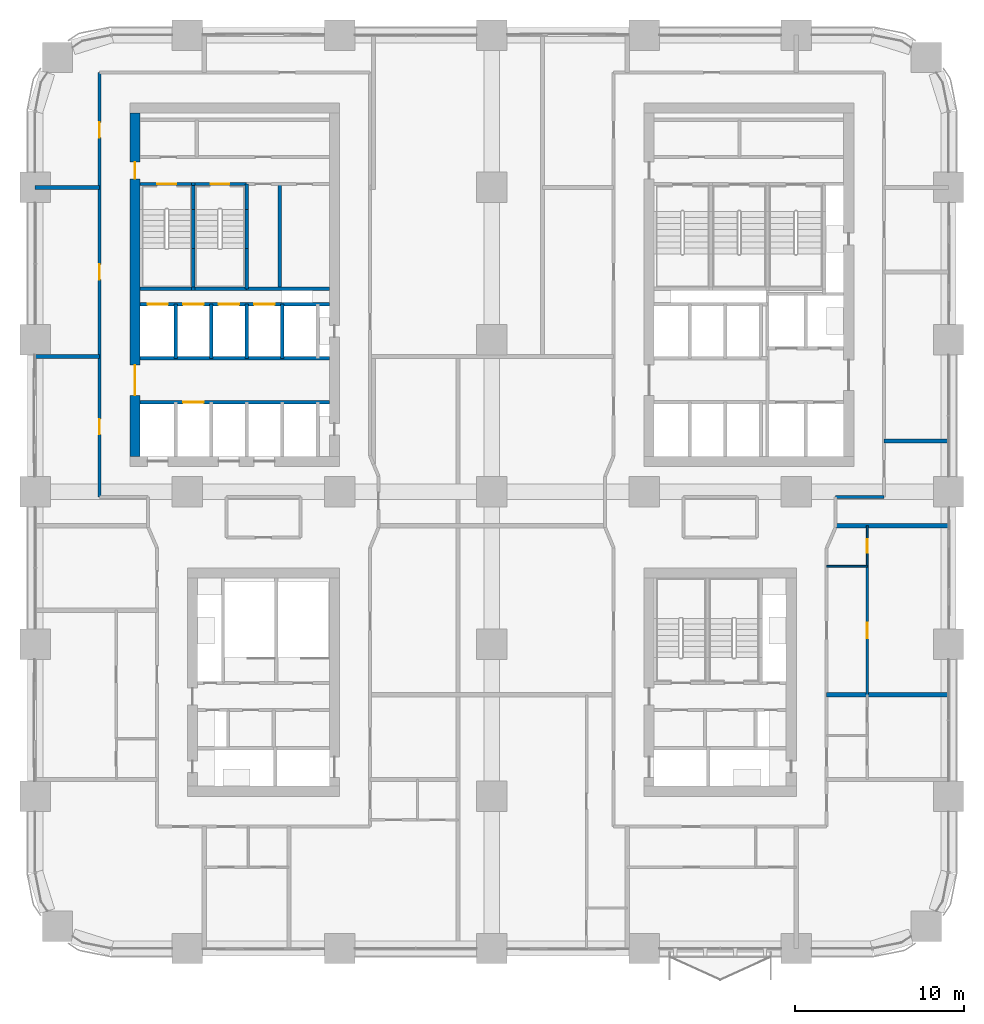
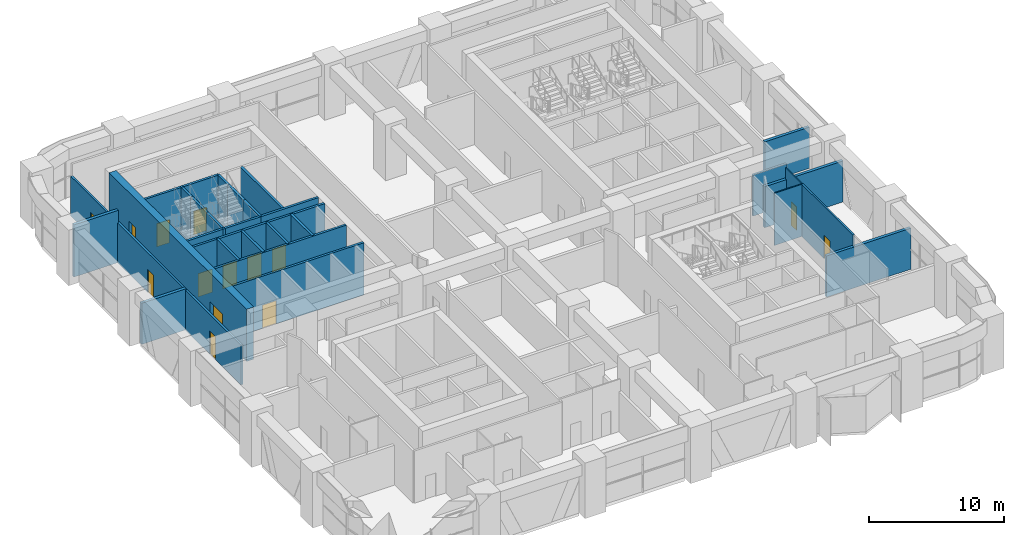
# One storey, part 18 of 26: 32 walls, 14 doors, 14 openings.
"""IFC4 building model written with IfcOpenShell, lengths in metres."""

from ifc_helpers import new_model, si_unit, direction, frame, frame_2d, origin, place, context, subcontext, project, spatial, rectangle, extrude, material, layer, layer_set, type_object, element, fill, save


model = new_model("IFC4")

# Units and contexts
model_context = context("Model", 3, precision=1e-05, world=origin(), true_north=direction((0.0, 1.0)))
body_context = subcontext(model_context, "Body", "Model", "MODEL_VIEW")
ifc_project = project(units=[si_unit("LENGTHUNIT", "METRE"), si_unit("AREAUNIT", "SQUARE_METRE"), si_unit("VOLUMEUNIT", "CUBIC_METRE"), si_unit("PLANEANGLEUNIT", "RADIAN"), si_unit("MASSUNIT", "GRAM", prefix="KILO")], contexts=[model_context])

# Site, building, storey
site_placement = place(None, origin())
site = spatial("IfcSite", under=ifc_project, at=site_placement, CompositionType="ELEMENT")
building_placement = place(site_placement, origin())
building = spatial("IfcBuilding", under=site, at=building_placement, Name="Tessera Arch", CompositionType="ELEMENT")
storey_placement = place(building_placement, frame((0.0, 0.0, 72.800048828125)))
storey = spatial("IfcBuildingStorey", under=building, at=storey_placement, Name="L16", CompositionType="ELEMENT", Elevation=72.800048828125)

# Wall
ifc_material_1 = material(Name="Gypsum board on steel stud", Category="steel")
ifc_layer_1 = layer(ifc_material_1, 0.125)
ifc_layer_set_1 = layer_set([ifc_layer_1], Name="Core partition 125 EI 60")
wall_type_1 = type_object("IfcWallType", Name="Core partition 125 EI 60", PredefinedType="PARTITIONING", material=ifc_layer_set_1)
wall_1_placement = place(storey_placement, frame((14.4599609375, 39.0, 0.0), z_axis=(0.0, 0.0, 1.0), x_axis=(0.0, 1.0, 0.0)))
element("IfcWall", 1, at=wall_1_placement, inside=storey, type_object=wall_type_1, Name="L16 C2 partition wall 14", PredefinedType="PARTITIONING", context=body_context, shape_type="SweptSolid", body=[
    extrude(rectangle(XDim=6.199951171875, YDim=0.199951171875, at=frame_2d((3.10009765625, 0.0))), origin(), (0.0, 0.0, 1.0), 4.699951171875),
])

# Wall, openings, doors
ifc_material_2 = material(Name="Concrete C70/85", Category="concrete")
ifc_layer_2 = layer(ifc_material_2, 0.60009765625)
ifc_layer_set_2 = layer_set([ifc_layer_2], Name="Core shell wall 600 C70-85")
wall_type_2 = type_object("IfcWallType", Name="Core shell wall 600 C70-85", PredefinedType="SHEAR", material=ifc_layer_set_2)
wall_2_placement = place(storey_placement, frame((5.89990234375, 29.10009765625, 0.0), z_axis=(0.0, 0.0, 1.0), x_axis=(0.0, 1.0, 0.0)))
wall_2 = element("IfcWall", 2, at=wall_2_placement, inside=storey, type_object=wall_type_2, Name="L16 C2 core wall W", PredefinedType="SHEAR", context=body_context, shape_type="SweptSolid", body=[
    extrude(rectangle(XDim=20.2998046875, YDim=0.60009765625, at=frame_2d((10.14990234375, 0.0))), origin(), (0.0, 0.0, 1.0), 4.699951171875),
])
opening_1_placement = place(wall_2_placement, frame((3.60009765625, 0.0, 0.0)))
opening_1 = element("IfcOpeningElement", 3, at=opening_1_placement, cuts=wall_2, Name="Opening L16-C24", PredefinedType="OPENING", context=body_context, shape_type="SweptSolid", body=[
    extrude(rectangle(XDim=1.800048828125, YDim=2.10009765625, at=frame_2d((0.89990234375, 1.050048828125))), frame((0.0, 0.31005859375, 0.0), z_axis=(0.0, -1.0, 0.0), x_axis=(1.0, 0.0, 0.0)), (0.0, 0.0, 1.0), 0.6201171875),
])
opening_2_placement = place(wall_2_placement, frame((16.39990234375, 0.0, 0.0)))
opening_2 = element("IfcOpeningElement", 4, at=opening_2_placement, cuts=wall_2, Name="Opening L16-C27", PredefinedType="OPENING", context=body_context, shape_type="SweptSolid", body=[
    extrude(rectangle(XDim=1.0, YDim=2.10009765625, at=frame_2d((0.5, 1.050048828125))), frame((0.0, 0.31005859375, 0.0), z_axis=(0.0, -1.0, 0.0), x_axis=(1.0, 0.0, 0.0)), (0.0, 0.0, 1.0), 0.6201171875),
])
ifc_material_3 = material(Name="Steel door leaf", Category="steel")
door_type_1 = type_object("IfcDoorType", Name="Corridor door FD60 1000 x 2100", OperationType="SINGLE_SWING_LEFT", PredefinedType="DOOR", material=ifc_material_3)
door_1_placement = place(opening_2_placement, origin())
door_1 = element("IfcDoor", 5, at=door_1_placement, inside=storey, type_object=door_type_1, Name="L16 C2 door 14 C27 type D12", OperationType="SINGLE_SWING_RIGHT", OverallHeight=2.10009765625, OverallWidth=1.0, PredefinedType="DOOR", context=body_context, shape_type="SweptSolid", body=[
    extrude(rectangle(XDim=1.0, YDim=2.10009765625, at=frame_2d((0.5, 1.050048828125))), frame((0.0, 0.02490234375, 0.0), z_axis=(0.0, -1.0, 0.0), x_axis=(1.0, 0.0, 0.0)), (0.0, 0.0, 1.0), 0.050048828125),
])
fill(opening_2, door_1)
ifc_material_4 = material(Name="Glazed steel door leaf", Category="steel")
door_type_2 = type_object("IfcDoorType", Name="Lobby double door FD30S 1800 x 2100", OperationType="DOUBLE_DOOR_SINGLE_SWING", PredefinedType="DOOR", material=ifc_material_4)
door_2_placement = place(opening_1_placement, origin())
door_2 = element("IfcDoor", 6, at=door_2_placement, inside=storey, type_object=door_type_2, Name="L16 C2 door 11 C24 type D06", OperationType="DOUBLE_DOOR_SINGLE_SWING", OverallHeight=2.10009765625, OverallWidth=1.800048828125, PredefinedType="DOOR", context=body_context, shape_type="SweptSolid", body=[
    extrude(rectangle(XDim=1.800048828125, YDim=2.10009765625, at=frame_2d((0.89990234375, 1.050048828125))), frame((0.0, 0.02490234375, 0.0), z_axis=(0.0, -1.0, 0.0), x_axis=(1.0, 0.0, 0.0)), (0.0, 0.0, 1.0), 0.050048828125),
])
fill(opening_1, door_2)

# Wall
ifc_material_5 = material(Name="Gypsum board on deep steel stud with mineral wool", Category="steel")
ifc_layer_3 = layer(ifc_material_5, 0.175048828125)
ifc_layer_set_3 = layer_set([ifc_layer_3], Name="Corridor wall 175 EI 60")
wall_type_3 = type_object("IfcWallType", Name="Corridor wall 175 EI 60", PredefinedType="PARTITIONING", material=ifc_layer_set_3)
wall_3_placement = place(storey_placement, frame((47.320068359375, 26.699951171875, 0.0), z_axis=(0.0, 0.0, 1.0), x_axis=(1.0, 0.0, 0.0)))
element("IfcWall", 7, at=wall_3_placement, inside=storey, type_object=wall_type_3, Name="L16 partition 8", PredefinedType="PARTITIONING", context=body_context, shape_type="SweptSolid", body=[
    extrude(rectangle(XDim=2.8798828125, YDim=0.175048828125, at=frame_2d((1.43994140625, 0.0))), origin(), (0.0, 0.0, 1.0), 3.699951171875),
])

# Wall, openings, doors
wall_4_placement = place(storey_placement, frame((3.800048828125, 26.699951171875, 0.0), z_axis=(0.0, 0.0, 1.0), x_axis=(0.0, 1.0, 0.0)))
wall_4 = element("IfcWall", 8, at=wall_4_placement, inside=storey, type_object=wall_type_3, Name="L16 partition 11", PredefinedType="PARTITIONING", context=body_context, shape_type="SweptSolid", body=[
    extrude(rectangle(XDim=25.10009765625, YDim=0.175048828125, at=frame_2d((12.550048828125, 0.0))), origin(), (0.0, 0.0, 1.0), 3.58984375),
])
opening_3_placement = place(wall_4_placement, frame((3.699951171875, 0.0, 0.0)))
opening_3 = element("IfcOpeningElement", 9, at=opening_3_placement, cuts=wall_4, Name="Opening L16-D031", PredefinedType="OPENING", context=body_context, shape_type="SweptSolid", body=[
    extrude(rectangle(XDim=0.89990234375, YDim=2.10009765625, at=frame_2d((0.449951171875, 1.050048828125))), frame((0.0, 0.097412109375, 0.0), z_axis=(0.0, -1.0, 0.0), x_axis=(1.0, 0.0, 0.0)), (0.0, 0.0, 1.0), 0.195068359375),
])
opening_4_placement = place(wall_4_placement, frame((12.85009765625, 0.0, 0.0)))
opening_4 = element("IfcOpeningElement", 10, at=opening_4_placement, cuts=wall_4, Name="Opening L16-D035", PredefinedType="OPENING", context=body_context, shape_type="SweptSolid", body=[
    extrude(rectangle(XDim=0.89990234375, YDim=2.10009765625, at=frame_2d((0.449951171875, 1.050048828125))), frame((0.0, 0.097412109375, 0.0), z_axis=(0.0, -1.0, 0.0), x_axis=(1.0, 0.0, 0.0)), (0.0, 0.0, 1.0), 0.195068359375),
])
opening_5_placement = place(wall_4_placement, frame((21.25, 0.0, 0.0)))
opening_5 = element("IfcOpeningElement", 11, at=opening_5_placement, cuts=wall_4, Name="Opening L16-D041", PredefinedType="OPENING", context=body_context, shape_type="SweptSolid", body=[
    extrude(rectangle(XDim=0.89990234375, YDim=2.10009765625, at=frame_2d((0.449951171875, 1.050048828125))), frame((0.0, 0.097412109375, 0.0), z_axis=(0.0, -1.0, 0.0), x_axis=(1.0, 0.0, 0.0)), (0.0, 0.0, 1.0), 0.195068359375),
])
ifc_material_6 = material(Name="Timber door leaf", Category="wood")
door_type_3 = type_object("IfcDoorType", Name="Room door 900 x 2100", OperationType="SINGLE_SWING_LEFT", PredefinedType="DOOR", material=ifc_material_6)
door_3_placement = place(opening_3_placement, origin())
door_3 = element("IfcDoor", 12, at=door_3_placement, inside=storey, type_object=door_type_3, Name="L16 door D031 type D01", OperationType="SINGLE_SWING_LEFT", OverallHeight=2.10009765625, OverallWidth=0.89990234375, PredefinedType="DOOR", context=body_context, shape_type="SweptSolid", body=[
    extrude(rectangle(XDim=0.89990234375, YDim=2.10009765625, at=frame_2d((0.449951171875, 1.050048828125))), frame((0.0, 0.02490234375, 0.0), z_axis=(0.0, -1.0, 0.0), x_axis=(1.0, 0.0, 0.0)), (0.0, 0.0, 1.0), 0.050048828125),
])
fill(opening_3, door_3)
door_4_placement = place(opening_4_placement, origin())
door_4 = element("IfcDoor", 13, at=door_4_placement, inside=storey, type_object=door_type_3, Name="L16 door D035 type D01", OperationType="SINGLE_SWING_LEFT", OverallHeight=2.10009765625, OverallWidth=0.89990234375, PredefinedType="DOOR", context=body_context, shape_type="SweptSolid", body=[
    extrude(rectangle(XDim=0.89990234375, YDim=2.10009765625, at=frame_2d((0.449951171875, 1.050048828125))), frame((0.0, 0.02490234375, 0.0), z_axis=(0.0, -1.0, 0.0), x_axis=(1.0, 0.0, 0.0)), (0.0, 0.0, 1.0), 0.050048828125),
])
fill(opening_4, door_4)
door_5_placement = place(opening_5_placement, origin())
door_5 = element("IfcDoor", 14, at=door_5_placement, inside=storey, type_object=door_type_3, Name="L16 door D041 type D01", OperationType="SINGLE_SWING_LEFT", OverallHeight=2.10009765625, OverallWidth=0.89990234375, PredefinedType="DOOR", context=body_context, shape_type="SweptSolid", body=[
    extrude(rectangle(XDim=0.89990234375, YDim=2.10009765625, at=frame_2d((0.449951171875, 1.050048828125))), frame((0.0, 0.02490234375, 0.0), z_axis=(0.0, -1.0, 0.0), x_axis=(1.0, 0.0, 0.0)), (0.0, 0.0, 1.0), 0.050048828125),
])
fill(opening_5, door_5)

# Wall, opening, door
ifc_material_7 = material(Name="Gypsum board on steel stud", Category="steel")
ifc_layer_4 = layer(ifc_material_7, 0.14990234375)
ifc_layer_set_4 = layer_set([ifc_layer_4], Name="Partition 150")
wall_type_4 = type_object("IfcWallType", Name="Partition 150", PredefinedType="PARTITIONING", material=ifc_layer_set_4)
wall_5_placement = place(storey_placement, frame((49.199951171875, 15.0, 0.0), z_axis=(0.0, 0.0, 1.0), x_axis=(0.0, 1.0, 0.0)))
wall_5 = element("IfcWall", 15, at=wall_5_placement, inside=storey, type_object=wall_type_4, Name="L16 partition 33", PredefinedType="PARTITIONING", context=body_context, shape_type="SweptSolid", body=[
    extrude(rectangle(XDim=7.60009765625, YDim=0.14990234375, at=frame_2d((3.800048828125, 0.0))), origin(), (0.0, 0.0, 1.0), 4.699951171875),
])
opening_6_placement = place(wall_5_placement, frame((3.35009765625, 0.0, 0.0)))
opening_6 = element("IfcOpeningElement", 16, at=opening_6_placement, cuts=wall_5, Name="Opening L16-D025", PredefinedType="OPENING", context=body_context, shape_type="SweptSolid", body=[
    extrude(rectangle(XDim=0.89990234375, YDim=2.10009765625, at=frame_2d((0.449951171875, 1.050048828125))), frame((0.0, 0.0849609375, 0.0), z_axis=(0.0, -1.0, 0.0), x_axis=(1.0, 0.0, 0.0)), (0.0, 0.0, 1.0), 0.169921875),
])
door_6_placement = place(opening_6_placement, origin())
door_6 = element("IfcDoor", 17, at=door_6_placement, inside=storey, type_object=door_type_3, Name="L16 door D025 type D01", OperationType="SINGLE_SWING_RIGHT", OverallHeight=2.10009765625, OverallWidth=0.89990234375, PredefinedType="DOOR", context=body_context, shape_type="SweptSolid", body=[
    extrude(rectangle(XDim=0.89990234375, YDim=2.10009765625, at=frame_2d((0.449951171875, 1.050048828125))), frame((0.0, 0.02490234375, 0.0), z_axis=(0.0, -1.0, 0.0), x_axis=(1.0, 0.0, 0.0)), (0.0, 0.0, 1.0), 0.050048828125),
])
fill(opening_6, door_6)

# Walls
ifc_material_8 = material(Name="Double gypsum board on twin steel stud with acoustic mineral wool", Category="steel")
ifc_layer_5 = layer(ifc_material_8, 0.25)
ifc_layer_set_5 = layer_set([ifc_layer_5], Name="Party wall 250 EI 60")
wall_type_5 = type_object("IfcWallType", Name="Party wall 250 EI 60", PredefinedType="PARTITIONING", material=ifc_layer_set_5)
wall_6_placement = place(storey_placement, frame((46.800048828125, 15.0, 0.0), z_axis=(0.0, 0.0, 1.0), x_axis=(1.0, 0.0, 0.0)))
element("IfcWall", 18, at=wall_6_placement, inside=storey, type_object=wall_type_5, Name="L16 partition 38", PredefinedType="PARTITIONING", context=body_context, shape_type="SweptSolid", body=[
    extrude(rectangle(XDim=7.199951171875, YDim=0.25, at=frame_2d((3.60009765625, 0.0))), origin(), (0.0, 0.0, 1.0), 3.699951171875),
])
wall_7_placement = place(storey_placement, frame((47.320068359375, 25.0, 0.0), z_axis=(0.0, 0.0, 1.0), x_axis=(1.0, 0.0, 0.0)))
element("IfcWall", 19, at=wall_7_placement, inside=storey, type_object=wall_type_5, Name="L16 partition 42", PredefinedType="PARTITIONING", context=body_context, shape_type="SweptSolid", body=[
    extrude(rectangle(XDim=6.679931640625, YDim=0.25, at=frame_2d((3.33984375, 0.0))), origin(), (0.0, 0.0, 1.0), 3.699951171875),
])
for number, where, z_axis, x_axis, name in (
    (20, (50.199951171875, 30.0, 0.0), (0.0, 0.0, 1.0), (1.0, 0.0, 0.0), "L16 partition 43"),
    (21, (0.0, 35.0, 0.0), (0.0, 0.0, 1.0), (1.0, 0.0, 0.0), "L16 partition 44"),
):
    element("IfcWall", number, at=place(storey_placement, frame(where, z_axis=z_axis, x_axis=x_axis)), inside=storey, type_object=wall_type_5, Name=name, PredefinedType="PARTITIONING", context=body_context, shape_type="SweptSolid", body=[
        extrude(rectangle(XDim=3.800048828125, YDim=0.25, at=frame_2d((1.89990234375, 0.0))), origin(), (0.0, 0.0, 1.0), 3.699951171875),
    ])
wall_8_placement = place(storey_placement, frame((0.0, 45.0, 0.0), z_axis=(0.0, 0.0, 1.0), x_axis=(1.0, 0.0, 0.0)))
element("IfcWall", 22, at=wall_8_placement, inside=storey, type_object=wall_type_5, Name="L16 partition 47", PredefinedType="PARTITIONING", context=body_context, shape_type="SweptSolid", body=[
    extrude(rectangle(XDim=3.800048828125, YDim=0.25, at=frame_2d((1.89990234375, 0.0))), origin(), (0.0, 0.0, 1.0), 4.699951171875),
])
ifc_material_9 = material(Name="Concrete C40/50", Category="concrete")
ifc_layer_6 = layer(ifc_material_9, 0.199951171875)
ifc_layer_set_6 = layer_set([ifc_layer_6], Name="Shaft wall 200 EI 120")
wall_type_6 = type_object("IfcWallType", Name="Shaft wall 200 EI 120", PredefinedType="SOLIDWALL", material=ifc_layer_set_6)
for number, where, z_axis, x_axis, name in (
    (23, (8.300048828125, 34.89990234375, 0.0), (0.0, 0.0, 1.0), (0.0, 1.0, 0.0), "L16 C2 shaft wall 2"),
    (24, (10.39990234375, 34.89990234375, 0.0), (0.0, 0.0, 1.0), (0.0, 1.0, 0.0), "L16 C2 shaft wall 8"),
    (25, (12.5, 34.89990234375, 0.0), (0.0, 0.0, 1.0), (0.0, 1.0, 0.0), "L16 C2 shaft wall 10"),
    (26, (14.60009765625, 34.89990234375, 0.0), (0.0, 0.0, 1.0), (0.0, 1.0, 0.0), "L16 C2 shaft wall 16"),
):
    element("IfcWall", number, at=place(storey_placement, frame(where, z_axis=z_axis, x_axis=x_axis)), inside=storey, type_object=wall_type_6, Name=name, PredefinedType="SOLIDWALL", context=body_context, shape_type="SweptSolid", body=[
        extrude(rectangle(XDim=3.2001953125, YDim=0.199951171875, at=frame_2d((1.60009765625, 0.0))), origin(), (0.0, 0.0, 1.0), 4.699951171875),
    ])

# Wall, opening, door
wall_9_placement = place(storey_placement, frame((6.199951171875, 32.300048828125, 0.0), z_axis=(0.0, 0.0, 1.0), x_axis=(1.0, 0.0, 0.0)))
wall_9 = element("IfcWall", 27, at=wall_9_placement, inside=storey, type_object=wall_type_6, Name="L16 C2 shaft wall 19", PredefinedType="SOLIDWALL", context=body_context, shape_type="SweptSolid", body=[
    extrude(rectangle(XDim=11.199951171875, YDim=0.199951171875, at=frame_2d((5.60009765625, 0.0))), origin(), (0.0, 0.0, 1.0), 4.699951171875),
])
opening_7_placement = place(wall_9_placement, frame((2.550048828125, 0.0, 0.0)))
opening_7 = element("IfcOpeningElement", 28, at=opening_7_placement, cuts=wall_9, Name="Opening L16-C15", PredefinedType="OPENING", context=body_context, shape_type="SweptSolid", body=[
    extrude(rectangle(XDim=1.199951171875, YDim=2.10009765625, at=frame_2d((0.60009765625, 1.050048828125))), frame((0.0, 0.10986328125, 0.0), z_axis=(0.0, -1.0, 0.0), x_axis=(1.0, 0.0, 0.0)), (0.0, 0.0, 1.0), 0.219970703125),
])
ifc_material_10 = material(Name="Stainless steel AISI 304", Category="steel")
door_type_4 = type_object("IfcDoorType", Name="Sliding landing door 1200 x 2100", OperationType="SLIDING_TO_LEFT", PredefinedType="DOOR", material=ifc_material_10)
door_7_placement = place(opening_7_placement, origin())
door_7 = element("IfcDoor", 29, at=door_7_placement, inside=storey, type_object=door_type_4, Name="L16 LR2 lift landing door C15 type LD", OperationType="SLIDING_TO_LEFT", OverallHeight=2.10009765625, OverallWidth=1.199951171875, PredefinedType="DOOR", context=body_context, shape_type="SweptSolid", body=[
    extrude(rectangle(XDim=1.199951171875, YDim=2.10009765625, at=frame_2d((0.60009765625, 1.050048828125))), frame((0.0, 0.02490234375, 0.0), z_axis=(0.0, -1.0, 0.0), x_axis=(1.0, 0.0, 0.0)), (0.0, 0.0, 1.0), 0.050048828125),
])
fill(opening_7, door_7)

# Wall
wall_10_placement = place(storey_placement, frame((6.199951171875, 34.89990234375, 0.0), z_axis=(0.0, 0.0, 1.0), x_axis=(1.0, 0.0, 0.0)))
element("IfcWall", 30, at=wall_10_placement, inside=storey, type_object=wall_type_6, Name="L16 C2 shaft wall 20", PredefinedType="SOLIDWALL", context=body_context, shape_type="SweptSolid", body=[
    extrude(rectangle(XDim=11.199951171875, YDim=0.199951171875, at=frame_2d((5.60009765625, 0.0))), origin(), (0.0, 0.0, 1.0), 4.699951171875),
])

# Wall, openings, doors
wall_11_placement = place(storey_placement, frame((6.199951171875, 38.10009765625, 0.0), z_axis=(0.0, 0.0, 1.0), x_axis=(1.0, 0.0, 0.0)))
wall_11 = element("IfcWall", 31, at=wall_11_placement, inside=storey, type_object=wall_type_6, Name="L16 C2 shaft wall 21", PredefinedType="SOLIDWALL", context=body_context, shape_type="SweptSolid", body=[
    extrude(rectangle(XDim=11.199951171875, YDim=0.199951171875, at=frame_2d((5.60009765625, 0.0))), origin(), (0.0, 0.0, 1.0), 4.699951171875),
])
opening_8_placement = place(wall_11_placement, frame((0.449951171875, 0.0, 0.0)))
opening_8 = element("IfcOpeningElement", 32, at=opening_8_placement, cuts=wall_11, Name="Opening L16-C18", PredefinedType="OPENING", context=body_context, shape_type="SweptSolid", body=[
    extrude(rectangle(XDim=1.199951171875, YDim=2.10009765625, at=frame_2d((0.60009765625, 1.050048828125))), frame((0.0, 0.10986328125, 0.0), z_axis=(0.0, -1.0, 0.0), x_axis=(1.0, 0.0, 0.0)), (0.0, 0.0, 1.0), 0.219970703125),
])
opening_9_placement = place(wall_11_placement, frame((2.550048828125, 0.0, 0.0)))
opening_9 = element("IfcOpeningElement", 33, at=opening_9_placement, cuts=wall_11, Name="Opening L16-C19", PredefinedType="OPENING", context=body_context, shape_type="SweptSolid", body=[
    extrude(rectangle(XDim=1.199951171875, YDim=2.10009765625, at=frame_2d((0.60009765625, 1.050048828125))), frame((0.0, 0.10986328125, 0.0), z_axis=(0.0, -1.0, 0.0), x_axis=(1.0, 0.0, 0.0)), (0.0, 0.0, 1.0), 0.219970703125),
])
opening_10_placement = place(wall_11_placement, frame((4.64990234375, 0.0, 0.0)))
opening_10 = element("IfcOpeningElement", 34, at=opening_10_placement, cuts=wall_11, Name="Opening L16-C20", PredefinedType="OPENING", context=body_context, shape_type="SweptSolid", body=[
    extrude(rectangle(XDim=1.199951171875, YDim=2.10009765625, at=frame_2d((0.60009765625, 1.050048828125))), frame((0.0, 0.10986328125, 0.0), z_axis=(0.0, -1.0, 0.0), x_axis=(1.0, 0.0, 0.0)), (0.0, 0.0, 1.0), 0.219970703125),
])
opening_11_placement = place(wall_11_placement, frame((6.75, 0.0, 0.0)))
opening_11 = element("IfcOpeningElement", 35, at=opening_11_placement, cuts=wall_11, Name="Opening L16-C21", PredefinedType="OPENING", context=body_context, shape_type="SweptSolid", body=[
    extrude(rectangle(XDim=1.199951171875, YDim=2.10009765625, at=frame_2d((0.60009765625, 1.050048828125))), frame((0.0, 0.10986328125, 0.0), z_axis=(0.0, -1.0, 0.0), x_axis=(1.0, 0.0, 0.0)), (0.0, 0.0, 1.0), 0.219970703125),
])
door_8_placement = place(opening_8_placement, origin())
door_8 = element("IfcDoor", 36, at=door_8_placement, inside=storey, type_object=door_type_4, Name="L16 LR5 lift landing door C18 type LD", OperationType="SLIDING_TO_LEFT", OverallHeight=2.10009765625, OverallWidth=1.199951171875, PredefinedType="DOOR", context=body_context, shape_type="SweptSolid", body=[
    extrude(rectangle(XDim=1.199951171875, YDim=2.10009765625, at=frame_2d((0.60009765625, 1.050048828125))), frame((0.0, 0.02490234375, 0.0), z_axis=(0.0, -1.0, 0.0), x_axis=(1.0, 0.0, 0.0)), (0.0, 0.0, 1.0), 0.050048828125),
])
fill(opening_8, door_8)
door_9_placement = place(opening_9_placement, origin())
door_9 = element("IfcDoor", 37, at=door_9_placement, inside=storey, type_object=door_type_4, Name="L16 LR6 lift landing door C19 type LD", OperationType="SLIDING_TO_LEFT", OverallHeight=2.10009765625, OverallWidth=1.199951171875, PredefinedType="DOOR", context=body_context, shape_type="SweptSolid", body=[
    extrude(rectangle(XDim=1.199951171875, YDim=2.10009765625, at=frame_2d((0.60009765625, 1.050048828125))), frame((0.0, 0.02490234375, 0.0), z_axis=(0.0, -1.0, 0.0), x_axis=(1.0, 0.0, 0.0)), (0.0, 0.0, 1.0), 0.050048828125),
])
fill(opening_9, door_9)
door_10_placement = place(opening_10_placement, origin())
door_10 = element("IfcDoor", 38, at=door_10_placement, inside=storey, type_object=door_type_4, Name="L16 LR7 lift landing door C20 type LD", OperationType="SLIDING_TO_LEFT", OverallHeight=2.10009765625, OverallWidth=1.199951171875, PredefinedType="DOOR", context=body_context, shape_type="SweptSolid", body=[
    extrude(rectangle(XDim=1.199951171875, YDim=2.10009765625, at=frame_2d((0.60009765625, 1.050048828125))), frame((0.0, 0.02490234375, 0.0), z_axis=(0.0, -1.0, 0.0), x_axis=(1.0, 0.0, 0.0)), (0.0, 0.0, 1.0), 0.050048828125),
])
fill(opening_10, door_10)
door_11_placement = place(opening_11_placement, origin())
door_11 = element("IfcDoor", 39, at=door_11_placement, inside=storey, type_object=door_type_4, Name="L16 LR8 lift landing door C21 type LD", OperationType="SLIDING_TO_LEFT", OverallHeight=2.10009765625, OverallWidth=1.199951171875, PredefinedType="DOOR", context=body_context, shape_type="SweptSolid", body=[
    extrude(rectangle(XDim=1.199951171875, YDim=2.10009765625, at=frame_2d((0.60009765625, 1.050048828125))), frame((0.0, 0.02490234375, 0.0), z_axis=(0.0, -1.0, 0.0), x_axis=(1.0, 0.0, 0.0)), (0.0, 0.0, 1.0), 0.050048828125),
])
fill(opening_11, door_11)

# Walls
wall_12_placement = place(storey_placement, frame((12.5, 39.0, 0.0), z_axis=(0.0, 0.0, 1.0), x_axis=(1.0, 0.0, 0.0)))
element("IfcWall", 40, at=wall_12_placement, inside=storey, type_object=wall_type_6, Name="L16 C2 shaft wall 22", PredefinedType="SOLIDWALL", context=body_context, shape_type="SweptSolid", body=[
    extrude(rectangle(XDim=4.89990234375, YDim=0.199951171875, at=frame_2d((2.449951171875, 0.0))), origin(), (0.0, 0.0, 1.0), 4.699951171875),
])
ifc_material_11 = material(Name="Concrete C40/50", Category="concrete")
ifc_layer_7 = layer(ifc_material_11, 0.199951171875)
ifc_layer_set_7 = layer_set([ifc_layer_7], Name="Stair well wall 200 REI 180")
wall_type_7 = type_object("IfcWallType", Name="Stair well wall 200 REI 180", PredefinedType="SOLIDWALL", material=ifc_layer_set_7)
wall_13_placement = place(storey_placement, frame((9.35009765625, 39.0, 0.0), z_axis=(0.0, 0.0, 1.0), x_axis=(0.0, 1.0, 0.0)))
element("IfcWall", 41, at=wall_13_placement, inside=storey, type_object=wall_type_7, Name="L16 C2 shaft wall 3", PredefinedType="SOLIDWALL", context=body_context, shape_type="SweptSolid", body=[
    extrude(rectangle(XDim=2.389892578125, YDim=0.199951171875, at=frame_2d((1.19482421875, 0.0))), origin(), (0.0, 0.0, 1.0), 4.699951171875),
])
wall_14_placement = place(storey_placement, frame((9.35009765625, 41.389892578125, 0.0), z_axis=(0.0, 0.0, 1.0), x_axis=(0.0, 1.0, 0.0)))
element("IfcWall", 42, at=wall_14_placement, inside=storey, type_object=wall_type_7, Name="L16 C2 shaft wall 4", PredefinedType="SOLIDWALL", context=body_context, shape_type="SweptSolid", body=[
    extrude(rectangle(XDim=2.31005859375, YDim=0.199951171875, at=frame_2d((1.155029296875, 0.0))), origin(), (0.0, 0.0, 1.0), 4.699951171875),
])
wall_15_placement = place(storey_placement, frame((9.35009765625, 43.699951171875, 0.0), z_axis=(0.0, 0.0, 1.0), x_axis=(0.0, 1.0, 0.0)))
element("IfcWall", 43, at=wall_15_placement, inside=storey, type_object=wall_type_7, Name="L16 C2 shaft wall 5", PredefinedType="SOLIDWALL", context=body_context, shape_type="SweptSolid", body=[
    extrude(rectangle(XDim=1.5, YDim=0.199951171875, at=frame_2d((0.75, 0.0))), origin(), (0.0, 0.0, 1.0), 4.699951171875),
])
wall_16_placement = place(storey_placement, frame((12.5, 39.0, 0.0), z_axis=(0.0, 0.0, 1.0), x_axis=(0.0, 1.0, 0.0)))
element("IfcWall", 44, at=wall_16_placement, inside=storey, type_object=wall_type_7, Name="L16 C2 shaft wall 11", PredefinedType="SOLIDWALL", context=body_context, shape_type="SweptSolid", body=[
    extrude(rectangle(XDim=2.389892578125, YDim=0.199951171875, at=frame_2d((1.19482421875, 0.0))), origin(), (0.0, 0.0, 1.0), 4.699951171875),
])
wall_17_placement = place(storey_placement, frame((12.5, 41.389892578125, 0.0), z_axis=(0.0, 0.0, 1.0), x_axis=(0.0, 1.0, 0.0)))
element("IfcWall", 45, at=wall_17_placement, inside=storey, type_object=wall_type_7, Name="L16 C2 shaft wall 12", PredefinedType="SOLIDWALL", context=body_context, shape_type="SweptSolid", body=[
    extrude(rectangle(XDim=2.31005859375, YDim=0.199951171875, at=frame_2d((1.155029296875, 0.0))), origin(), (0.0, 0.0, 1.0), 4.699951171875),
])
wall_18_placement = place(storey_placement, frame((12.5, 43.699951171875, 0.0), z_axis=(0.0, 0.0, 1.0), x_axis=(0.0, 1.0, 0.0)))
element("IfcWall", 46, at=wall_18_placement, inside=storey, type_object=wall_type_7, Name="L16 C2 shaft wall 13", PredefinedType="SOLIDWALL", context=body_context, shape_type="SweptSolid", body=[
    extrude(rectangle(XDim=1.5, YDim=0.199951171875, at=frame_2d((0.75, 0.0))), origin(), (0.0, 0.0, 1.0), 4.699951171875),
])
wall_19_placement = place(storey_placement, frame((6.199951171875, 39.0, 0.0), z_axis=(0.0, 0.0, 1.0), x_axis=(1.0, 0.0, 0.0)))
element("IfcWall", 47, at=wall_19_placement, inside=storey, type_object=wall_type_7, Name="L16 C2 shaft wall 23", PredefinedType="SOLIDWALL", context=body_context, shape_type="SweptSolid", body=[
    extrude(rectangle(XDim=3.050048828125, YDim=0.199951171875, at=frame_2d((1.52490234375, 0.0))), origin(), (0.0, 0.0, 1.0), 4.699951171875),
])
wall_20_placement = place(storey_placement, frame((9.25, 39.0, 0.0), z_axis=(0.0, 0.0, 1.0), x_axis=(1.0, 0.0, 0.0)))
element("IfcWall", 48, at=wall_20_placement, inside=storey, type_object=wall_type_7, Name="L16 C2 shaft wall 24", PredefinedType="SOLIDWALL", context=body_context, shape_type="SweptSolid", body=[
    extrude(rectangle(XDim=0.199951171875, YDim=0.199951171875, at=frame_2d((0.10009765625, 0.0))), origin(), (0.0, 0.0, 1.0), 4.699951171875),
])
wall_21_placement = place(storey_placement, frame((9.449951171875, 39.0, 0.0), z_axis=(0.0, 0.0, 1.0), x_axis=(1.0, 0.0, 0.0)))
element("IfcWall", 49, at=wall_21_placement, inside=storey, type_object=wall_type_7, Name="L16 C2 shaft wall 25", PredefinedType="SOLIDWALL", context=body_context, shape_type="SweptSolid", body=[
    extrude(rectangle(XDim=3.050048828125, YDim=0.199951171875, at=frame_2d((1.52490234375, 0.0))), origin(), (0.0, 0.0, 1.0), 4.699951171875),
])

# Wall, opening, door
wall_22_placement = place(storey_placement, frame((6.199951171875, 45.199951171875, 0.0), z_axis=(0.0, 0.0, 1.0), x_axis=(1.0, 0.0, 0.0)))
wall_22 = element("IfcWall", 50, at=wall_22_placement, inside=storey, type_object=wall_type_7, Name="L16 C2 shaft wall 27", PredefinedType="SOLIDWALL", context=body_context, shape_type="SweptSolid", body=[
    extrude(rectangle(XDim=3.050048828125, YDim=0.199951171875, at=frame_2d((1.52490234375, 0.0))), origin(), (0.0, 0.0, 1.0), 4.699951171875),
])
opening_12_placement = place(wall_22_placement, frame((1.02490234375, 0.0, 0.0)))
opening_12 = element("IfcOpeningElement", 51, at=opening_12_placement, cuts=wall_22, Name="Opening L16-C25", PredefinedType="OPENING", context=body_context, shape_type="SweptSolid", body=[
    extrude(rectangle(XDim=1.10009765625, YDim=2.10009765625, at=frame_2d((0.550048828125, 1.050048828125))), frame((0.0, 0.10986328125, 0.0), z_axis=(0.0, -1.0, 0.0), x_axis=(1.0, 0.0, 0.0)), (0.0, 0.0, 1.0), 0.219970703125),
])
ifc_material_12 = material(Name="Steel door leaf", Category="steel")
door_type_5 = type_object("IfcDoorType", Name="Stair door FD60 1100 x 2100", OperationType="SINGLE_SWING_LEFT", PredefinedType="DOOR", material=ifc_material_12)
door_12_placement = place(opening_12_placement, origin())
door_12 = element("IfcDoor", 52, at=door_12_placement, inside=storey, type_object=door_type_5, Name="L16 C2 door 12 C25 type D05", OperationType="SINGLE_SWING_RIGHT", OverallHeight=2.10009765625, OverallWidth=1.10009765625, PredefinedType="DOOR", context=body_context, shape_type="SweptSolid", body=[
    extrude(rectangle(XDim=1.10009765625, YDim=2.10009765625, at=frame_2d((0.550048828125, 1.050048828125))), frame((0.0, 0.02490234375, 0.0), z_axis=(0.0, -1.0, 0.0), x_axis=(1.0, 0.0, 0.0)), (0.0, 0.0, 1.0), 0.050048828125),
])
fill(opening_12, door_12)

# Wall
wall_23_placement = place(storey_placement, frame((9.25, 45.199951171875, 0.0), z_axis=(0.0, 0.0, 1.0), x_axis=(1.0, 0.0, 0.0)))
element("IfcWall", 53, at=wall_23_placement, inside=storey, type_object=wall_type_7, Name="L16 C2 shaft wall 28", PredefinedType="SOLIDWALL", context=body_context, shape_type="SweptSolid", body=[
    extrude(rectangle(XDim=0.199951171875, YDim=0.199951171875, at=frame_2d((0.10009765625, 0.0))), origin(), (0.0, 0.0, 1.0), 4.699951171875),
])

# Wall, opening, door
wall_24_placement = place(storey_placement, frame((9.449951171875, 45.199951171875, 0.0), z_axis=(0.0, 0.0, 1.0), x_axis=(1.0, 0.0, 0.0)))
wall_24 = element("IfcWall", 54, at=wall_24_placement, inside=storey, type_object=wall_type_7, Name="L16 C2 shaft wall 29", PredefinedType="SOLIDWALL", context=body_context, shape_type="SweptSolid", body=[
    extrude(rectangle(XDim=3.050048828125, YDim=0.199951171875, at=frame_2d((1.52490234375, 0.0))), origin(), (0.0, 0.0, 1.0), 4.699951171875),
])
opening_13_placement = place(wall_24_placement, frame((0.925048828125, 0.0, 0.0)))
opening_13 = element("IfcOpeningElement", 55, at=opening_13_placement, cuts=wall_24, Name="Opening L16-C26", PredefinedType="OPENING", context=body_context, shape_type="SweptSolid", body=[
    extrude(rectangle(XDim=1.10009765625, YDim=2.10009765625, at=frame_2d((0.550048828125, 1.050048828125))), frame((0.0, 0.10986328125, 0.0), z_axis=(0.0, -1.0, 0.0), x_axis=(1.0, 0.0, 0.0)), (0.0, 0.0, 1.0), 0.219970703125),
])
door_13_placement = place(opening_13_placement, origin())
door_13 = element("IfcDoor", 56, at=door_13_placement, inside=storey, type_object=door_type_5, Name="L16 C2 door 13 C26 type D05", OperationType="SINGLE_SWING_LEFT", OverallHeight=2.10009765625, OverallWidth=1.10009765625, PredefinedType="DOOR", context=body_context, shape_type="SweptSolid", body=[
    extrude(rectangle(XDim=1.10009765625, YDim=2.10009765625, at=frame_2d((0.550048828125, 1.050048828125))), frame((0.0, 0.02490234375, 0.0), z_axis=(0.0, -1.0, 0.0), x_axis=(1.0, 0.0, 0.0)), (0.0, 0.0, 1.0), 0.050048828125),
])
fill(opening_13, door_13)

# Wall
ifc_material_13 = material(Name="Moisture-resistant board on pre-plumbed steel stud", Category="steel")
ifc_layer_8 = layer(ifc_material_13, 0.10009765625)
ifc_layer_set_8 = layer_set([ifc_layer_8], Name="Wet wall 100")
wall_type_8 = type_object("IfcWallType", Name="Wet wall 100", PredefinedType="PARTITIONING", material=ifc_layer_set_8)
wall_25_placement = place(storey_placement, frame((46.800048828125, 22.60009765625, 0.0), z_axis=(0.0, 0.0, 1.0), x_axis=(1.0, 0.0, 0.0)))
element("IfcWall", 57, at=wall_25_placement, inside=storey, type_object=wall_type_8, Name="L16 partition 68", PredefinedType="PARTITIONING", context=body_context, shape_type="SweptSolid", body=[
    extrude(rectangle(XDim=2.39990234375, YDim=0.10009765625, at=frame_2d((1.199951171875, 0.0))), origin(), (0.0, 0.0, 1.0), 4.699951171875),
])

# Wall, opening, door
wall_26_placement = place(storey_placement, frame((49.199951171875, 22.60009765625, 0.0), z_axis=(0.0, 0.0, 1.0), x_axis=(0.0, 1.0, 0.0)))
wall_26 = element("IfcWall", 58, at=wall_26_placement, inside=storey, type_object=wall_type_8, Name="L16 partition 75", PredefinedType="PARTITIONING", context=body_context, shape_type="SweptSolid", body=[
    extrude(rectangle(XDim=2.39990234375, YDim=0.10009765625, at=frame_2d((1.199951171875, 0.0))), origin(), (0.0, 0.0, 1.0), 4.699951171875),
])
opening_14_placement = place(wall_26_placement, frame((0.800048828125, 0.0, 0.0)))
opening_14 = element("IfcOpeningElement", 59, at=opening_14_placement, cuts=wall_26, Name="Opening L16-D026", PredefinedType="OPENING", context=body_context, shape_type="SweptSolid", body=[
    extrude(rectangle(XDim=0.800048828125, YDim=2.10009765625, at=frame_2d((0.39990234375, 1.050048828125))), frame((0.0, 0.06005859375, 0.0), z_axis=(0.0, -1.0, 0.0), x_axis=(1.0, 0.0, 0.0)), (0.0, 0.0, 1.0), 0.1201171875),
])
ifc_material_14 = material(Name="Timber door leaf", Category="wood")
door_type_6 = type_object("IfcDoorType", Name="En-suite door 800 x 2100", OperationType="SINGLE_SWING_LEFT", PredefinedType="DOOR", material=ifc_material_14)
door_14_placement = place(opening_14_placement, origin())
door_14 = element("IfcDoor", 60, at=door_14_placement, inside=storey, type_object=door_type_6, Name="L16 door D026 type D02", OperationType="SINGLE_SWING_LEFT", OverallHeight=2.10009765625, OverallWidth=0.800048828125, PredefinedType="DOOR", context=body_context, shape_type="SweptSolid", body=[
    extrude(rectangle(XDim=0.800048828125, YDim=2.10009765625, at=frame_2d((0.39990234375, 1.050048828125))), frame((0.0, 0.02490234375, 0.0), z_axis=(0.0, -1.0, 0.0), x_axis=(1.0, 0.0, 0.0)), (0.0, 0.0, 1.0), 0.050048828125),
])
fill(opening_14, door_14)

save(model, "model.ifc")
